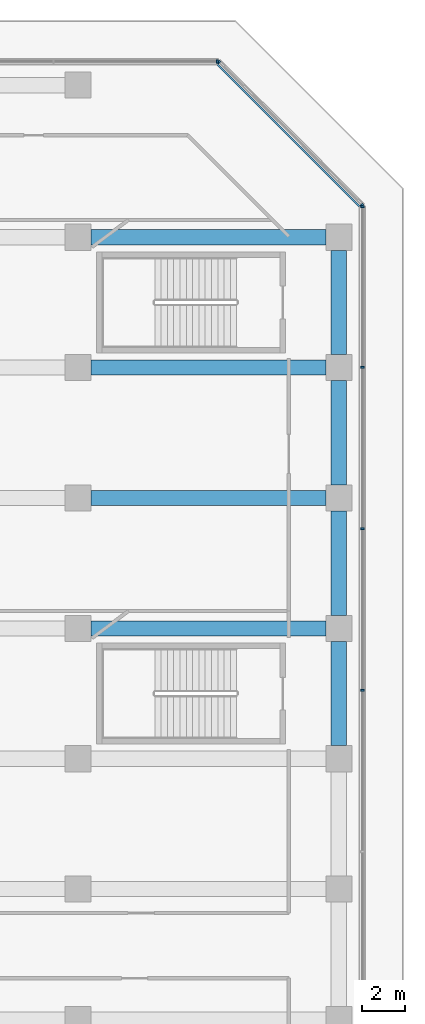
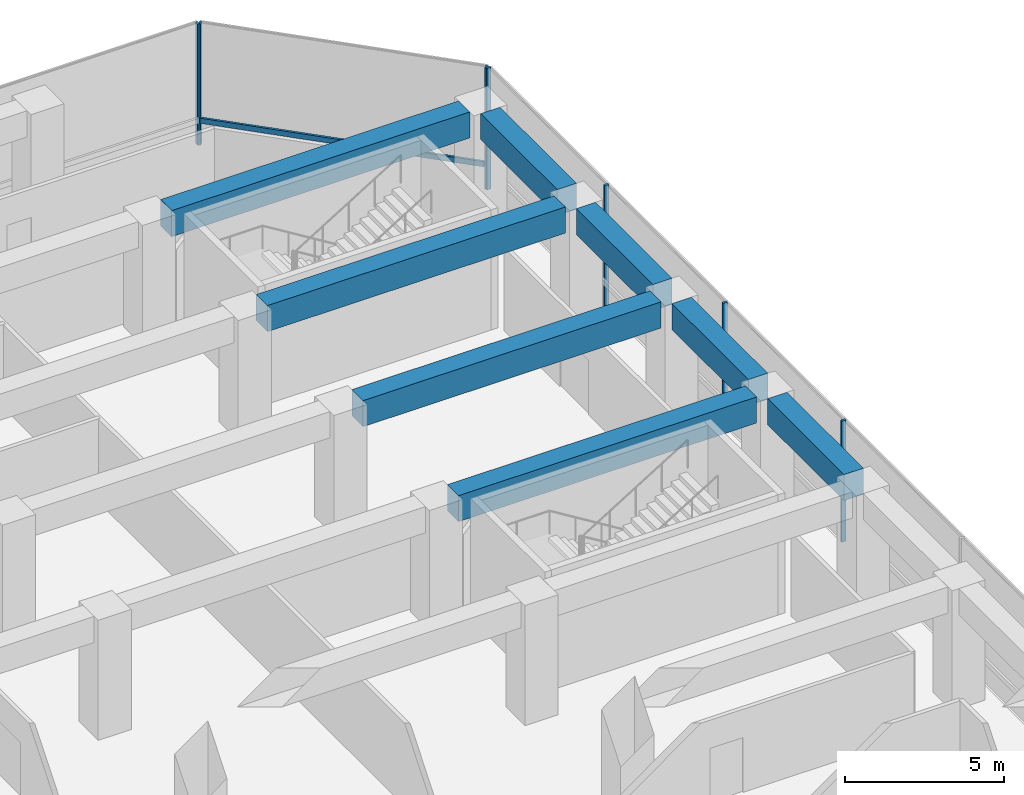
# One storey, part 24 of 40: 8 beams, 8 members, 3 elements without a shape of their own.
"""IFC4 building model written with IfcOpenShell, lengths in metres."""

from ifc_helpers import new_model, si_unit, direction, frame, origin, origin_2d, place, context, subcontext, project, spatial, rectangle, extrude, material, layer, layer_set, material_profile, profile_set, type_object, element, aggregate, save


model = new_model("IFC4")

# Units and contexts
model_context = context("Model", 3, precision=1e-05, world=origin(), true_north=direction((0.0, 1.0)))
body_context = subcontext(model_context, "Body", "Model", "MODEL_VIEW")
ifc_project = project(units=[si_unit("LENGTHUNIT", "METRE"), si_unit("AREAUNIT", "SQUARE_METRE"), si_unit("VOLUMEUNIT", "CUBIC_METRE"), si_unit("PLANEANGLEUNIT", "RADIAN"), si_unit("MASSUNIT", "GRAM", prefix="KILO")], contexts=[model_context])

# Site, building, storey
site_placement = place(None, origin())
site = spatial("IfcSite", under=ifc_project, at=site_placement, CompositionType="ELEMENT")
building_placement = place(site_placement, origin())
building = spatial("IfcBuilding", under=site, at=building_placement, Name="Welwitschia Terrace Campus", CompositionType="ELEMENT")
storey_placement = place(building_placement, frame((0.0, 0.0, 6.0)))
storey = spatial("IfcBuildingStorey", under=building, at=storey_placement, Name="L01", CompositionType="ELEMENT", Elevation=6.0)

# Beams
ifc_material_1 = material(Name="Concrete C60/75", Category="concrete")
ifc_material_profile_1 = material_profile(ifc_material_1, rectangle(XDim=0.699951171875, YDim=1.0, at=origin_2d()))
ifc_profile_set_1 = profile_set([ifc_material_profile_1], Name="Concrete C60/75")
beam_type = type_object("IfcBeamType", Name="Base block beam 700x1000", PredefinedType="BEAM", material=ifc_profile_set_1)
for number, where, z_axis, x_axis, name in (
    (1, (84.6005859375, 44.0, 4.10009765625), (1.0, 0.0, 0.0), (0.0, 1.0, 0.0), "Beam BB1"),
    (2, (84.6005859375, 50.0, 4.10009765625), (1.0, 0.0, 0.0), (0.0, 1.0, 0.0), "Beam BB1"),
    (3, (84.6005859375, 56.0, 4.10009765625), (1.0, 0.0, 0.0), (0.0, 1.0, 0.0), "Beam BB1"),
    (4, (84.6005859375, 62.0, 4.10009765625), (1.0, 0.0, 0.0), (0.0, 1.0, 0.0), "Beam BB1"),
):
    element("IfcBeam", number, at=place(storey_placement, frame(where, z_axis=z_axis, x_axis=x_axis)), inside=storey, type_object=beam_type, Name=name, PredefinedType="BEAM", context=body_context, shape_type="SweptSolid", body=[
        extrude(rectangle(XDim=0.699951171875, YDim=1.0, at=origin_2d()), origin(), (0.0, 0.0, 1.0), 10.798828125),
    ])
for number, where, z_axis, x_axis, name in (
    (5, (96.0, 38.6005859375, 4.10009765625), (0.0, 1.0, 0.0), (-1.0, 0.0, 0.0), "Beam BB1"),
    (6, (96.0, 44.6005859375, 4.10009765625), (0.0, 1.0, 0.0), (-1.0, 0.0, 0.0), "Beam BB1"),
    (7, (96.0, 50.6005859375, 4.10009765625), (0.0, 1.0, 0.0), (-1.0, 0.0, 0.0), "Beam BB1"),
    (8, (96.0, 56.6005859375, 4.10009765625), (0.0, 1.0, 0.0), (-1.0, 0.0, 0.0), "Beam BB1"),
):
    element("IfcBeam", number, at=place(storey_placement, frame(where, z_axis=z_axis, x_axis=x_axis)), inside=storey, type_object=beam_type, Name=name, PredefinedType="BEAM", context=body_context, shape_type="SweptSolid", body=[
        extrude(rectangle(XDim=0.699951171875, YDim=1.0, at=origin_2d()), origin(), (0.0, 0.0, 1.0), 4.798828125),
    ])

# Curtain wall, members
ifc_material_2 = material(Name="Bronze anodised aluminium", Category="aluminium")
ifc_layer = layer(ifc_material_2, 0.14990234375)
ifc_layer_set = layer_set([ifc_layer], Name="Bronze anodised aluminium")
curtain_wall_type = type_object("IfcCurtainWallType", Name="Curtain wall CW1 podium 7500", PredefinedType="NOTDEFINED", material=ifc_layer_set)
curtain_wall_1_placement = place(storey_placement, origin())
curtain_wall_1 = element("IfcCurtainWall", 9, at=curtain_wall_1_placement, inside=storey, type_object=curtain_wall_type, Name="CW L01.2.0", PredefinedType="NOTDEFINED")
ifc_material_3 = material(Name="Bronze anodised aluminium", Category="aluminium")
ifc_material_profile_2 = material_profile(ifc_material_3, rectangle(XDim=0.14990234375, YDim=0.080078125, at=origin_2d()))
ifc_profile_set_2 = profile_set([ifc_material_profile_2], Name="Bronze anodised aluminium")
member_type_1 = type_object("IfcMemberType", Name="Mullion 80x150", PredefinedType="MULLION", material=ifc_profile_set_2)
member_1_placement = place(storey_placement, frame((97.0849609375, 41.14990234375, 0.0), z_axis=(0.0, 0.0, 1.0), x_axis=(-1.0, 0.0, 0.0)))
member_1 = element("IfcMember", 10, at=member_1_placement, type_object=member_type_1, Name="Mullion L01.2.0.6", PredefinedType="MULLION", context=body_context, shape_type="SweptSolid", body=[
    extrude(rectangle(XDim=0.14990234375, YDim=0.080078125, at=origin_2d()), origin(), (0.0, 0.0, 1.0), 4.64990234375),
])
member_2_placement = place(storey_placement, frame((97.0849609375, 48.5830078125, 0.0), z_axis=(0.0, 0.0, 1.0), x_axis=(-1.0, 0.0, 0.0)))
member_2 = element("IfcMember", 11, at=member_2_placement, type_object=member_type_1, Name="Mullion L01.2.0.7", PredefinedType="MULLION", context=body_context, shape_type="SweptSolid", body=[
    extrude(rectangle(XDim=0.14990234375, YDim=0.080078125, at=origin_2d()), origin(), (0.0, 0.0, 1.0), 4.64990234375),
])
member_3_placement = place(storey_placement, frame((97.0849609375, 56.01611328125, 0.0), z_axis=(0.0, 0.0, 1.0), x_axis=(-1.0, 0.0, 0.0)))
member_3 = element("IfcMember", 12, at=member_3_placement, type_object=member_type_1, Name="Mullion L01.2.0.8", PredefinedType="MULLION", context=body_context, shape_type="SweptSolid", body=[
    extrude(rectangle(XDim=0.14990234375, YDim=0.080078125, at=origin_2d()), origin(), (0.0, 0.0, 1.0), 4.64990234375),
])
member_4_placement = place(storey_placement, frame((97.0849609375, 63.409423828125, 0.0), z_axis=(0.0, 0.0, 1.0), x_axis=(-1.0, 0.0, 0.0)))
member_4 = element("IfcMember", 13, at=member_4_placement, type_object=member_type_1, Name="Mullion L01.2.0.9", PredefinedType="MULLION", context=body_context, shape_type="SweptSolid", body=[
    extrude(rectangle(XDim=0.14990234375, YDim=0.080078125, at=origin_2d()), origin(), (0.0, 0.0, 1.0), 4.64990234375),
])
aggregate(curtain_wall_1, [member_1, member_2, member_3, member_4])

curtain_wall_2_placement = place(storey_placement, origin())
curtain_wall_2 = element("IfcCurtainWall", 14, at=curtain_wall_2_placement, inside=storey, type_object=curtain_wall_type, Name="CW L01.3.0", PredefinedType="NOTDEFINED")
member_5_placement = place(storey_placement, frame((97.056640625, 63.477783203125, 0.0), z_axis=(0.0, 0.0, 1.0), x_axis=(-0.707106781187, -0.707106781187, 0.0)))
member_5 = element("IfcMember", 15, at=member_5_placement, type_object=member_type_1, Name="Mullion L01.3.0.0", PredefinedType="MULLION", context=body_context, shape_type="SweptSolid", body=[
    extrude(rectangle(XDim=0.14990234375, YDim=0.080078125, at=origin_2d()), origin(), (0.0, 0.0, 1.0), 4.64990234375),
])
member_6_placement = place(storey_placement, frame((90.477783203125, 70.056640625, 0.0), z_axis=(0.0, 0.0, 1.0), x_axis=(-0.707106781187, -0.707106781187, 0.0)))
member_6 = element("IfcMember", 16, at=member_6_placement, type_object=member_type_1, Name="Mullion L01.3.0.1", PredefinedType="MULLION", context=body_context, shape_type="SweptSolid", body=[
    extrude(rectangle(XDim=0.14990234375, YDim=0.080078125, at=origin_2d()), origin(), (0.0, 0.0, 1.0), 4.64990234375),
])

# Curtain wall, member
curtain_wall_3_placement = place(storey_placement, origin())
curtain_wall_3 = element("IfcCurtainWall", 17, at=curtain_wall_3_placement, inside=storey, type_object=curtain_wall_type, Name="CW L01.4.0", PredefinedType="NOTDEFINED")
member_7_placement = place(storey_placement, frame((90.409423828125, 70.0849609375, 0.0), z_axis=(0.0, 0.0, 1.0), x_axis=(0.0, -1.0, 0.0)))
member_7 = element("IfcMember", 18, at=member_7_placement, type_object=member_type_1, Name="Mullion L01.4.0.0", PredefinedType="MULLION", context=body_context, shape_type="SweptSolid", body=[
    extrude(rectangle(XDim=0.14990234375, YDim=0.080078125, at=origin_2d()), origin(), (0.0, 0.0, 1.0), 4.64990234375),
])
aggregate(curtain_wall_3, [member_7])

# Member
ifc_material_4 = material(Name="Bronze anodised aluminium", Category="aluminium")
ifc_material_profile_3 = material_profile(ifc_material_4, rectangle(XDim=0.080078125, YDim=0.199951171875, at=origin_2d()))
ifc_profile_set_3 = profile_set([ifc_material_profile_3], Name="Bronze anodised aluminium")
member_type_2 = type_object("IfcMemberType", Name="Transom 80x200", PredefinedType="USERDEFINED", material=ifc_profile_set_3)
member_8_placement = place(storey_placement, frame((96.947021484375, 63.424560546875, 1.0), z_axis=(-0.707106781187, 0.707106781187, 0.0), x_axis=(-0.707106781187, -0.707106781187, 0.0)))
member_8 = element("IfcMember", 19, at=member_8_placement, type_object=member_type_2, Name="Transom L01.3.0", ObjectType="TRANSOM", PredefinedType="USERDEFINED", context=body_context, shape_type="SweptSolid", body=[
    extrude(rectangle(XDim=0.080078125, YDim=0.199951171875, at=origin_2d()), origin(), (0.0, 0.0, 1.0), 9.22412109375),
])

aggregate(curtain_wall_2, [member_5, member_6, member_8])

save(model, "model.ifc")
